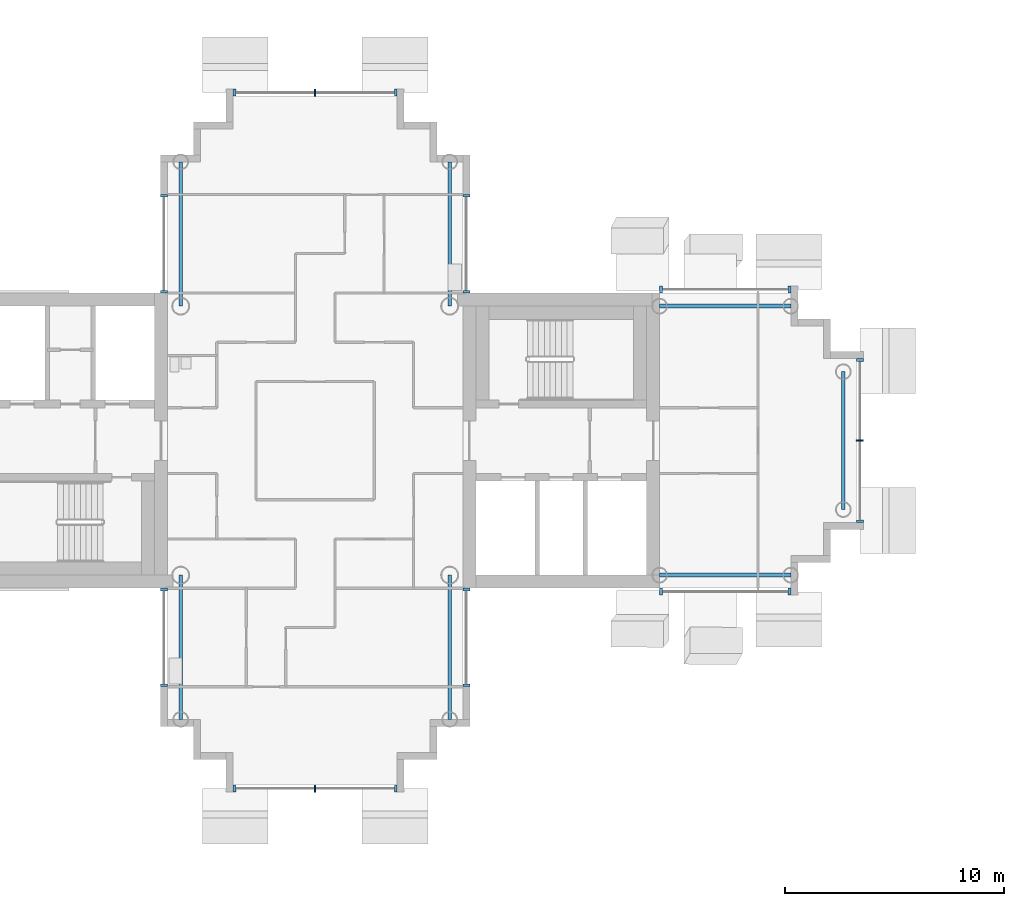
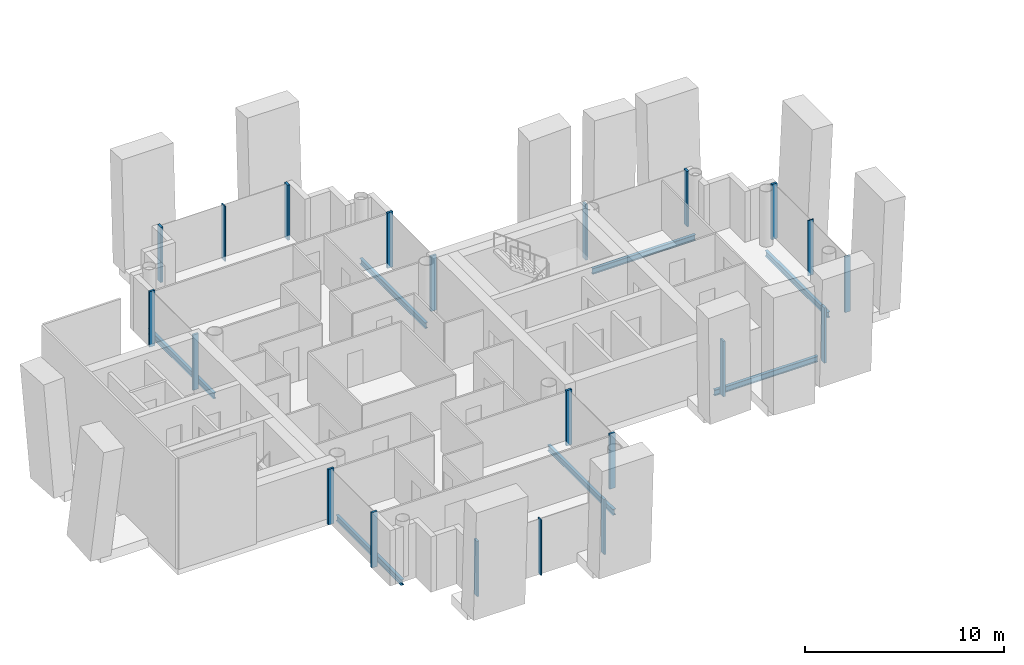
# One storey, part 3 of 18: 21 members, 7 beams, 9 elements without a shape of their own.
"""IFC4 building model written with IfcOpenShell, lengths in metres."""

from ifc_helpers import new_model, si_unit, direction, frame, origin, origin_2d, place, context, subcontext, project, spatial, rectangle, i_section, extrude, material, layer, layer_set, material_profile, profile_set, type_object, element, aggregate, save


model = new_model("IFC4")

# Units and contexts
model_context = context("Model", 3, precision=1e-05, world=origin(), true_north=direction((0.0, 1.0)))
body_context = subcontext(model_context, "Body", "Model", "MODEL_VIEW")
ifc_project = project(units=[si_unit("LENGTHUNIT", "METRE"), si_unit("AREAUNIT", "SQUARE_METRE"), si_unit("VOLUMEUNIT", "CUBIC_METRE"), si_unit("PLANEANGLEUNIT", "RADIAN"), si_unit("MASSUNIT", "GRAM", prefix="KILO")], contexts=[model_context])

# Site, building, storey
site_placement = place(None, origin())
site = spatial("IfcSite", under=ifc_project, at=site_placement, CompositionType="ELEMENT")
building_placement = place(site_placement, origin())
building = spatial("IfcBuilding", under=site, at=building_placement, Name="Ipe Terrace Towers", CompositionType="ELEMENT")
storey_placement = place(building_placement, frame((0.0, 0.0, 223.199951171875)))
storey = spatial("IfcBuildingStorey", under=building, at=storey_placement, Name="L62", CompositionType="ELEMENT", Elevation=223.199951171875)

# Beams
ifc_material_1 = material(Name="Steel S355", Category="steel")
ifc_material_profile_1 = material_profile(ifc_material_1, i_section(OverallWidth=0.175048828125, OverallDepth=0.35009765625, WebThickness=0.007080078125, FlangeThickness=0.010986328125, at=origin_2d()), Name="H-350x175x7x11")
ifc_profile_set_1 = profile_set([ifc_material_profile_1], Name="Steel S355")
beam_type = type_object("IfcBeamType", Name="H04 EDGE BEAM H-350x175x7x11", PredefinedType="BEAM", material=ifc_profile_set_1)
for number, where, z_axis, x_axis, name in (
    (1, (-20.25, -6.14990234375, -0.574951171875), (1.0, 0.0, 0.0), (0.0, 1.0, 0.0), "Edge beam T1-EB-A01-A03"),
    (2, (-20.25, 6.14990234375, -0.574951171875), (1.0, 0.0, 0.0), (0.0, 1.0, 0.0), "Edge beam T1-EB-A02-A04"),
):
    element("IfcBeam", number, at=place(storey_placement, frame(where, z_axis=z_axis, x_axis=x_axis)), inside=storey, type_object=beam_type, Name=name, PredefinedType="BEAM", context=body_context, shape_type="SweptSolid", body=[
        extrude(i_section(OverallWidth=0.175048828125, OverallDepth=0.35009765625, WebThickness=0.007080078125, FlangeThickness=0.010986328125, at=origin_2d()), origin(), (0.0, 0.0, 1.0), 6.0),
    ])
beam_placement = place(storey_placement, frame((-11.85009765625, -3.14990234375, -0.574951171875), z_axis=(0.0, 1.0, 0.0), x_axis=(-1.0, 0.0, 0.0)))
element("IfcBeam", 3, at=beam_placement, inside=storey, type_object=beam_type, Name="Edge beam T1-EB-A05-A06", PredefinedType="BEAM", context=body_context, shape_type="SweptSolid", body=[
    extrude(i_section(OverallWidth=0.175048828125, OverallDepth=0.35009765625, WebThickness=0.007080078125, FlangeThickness=0.010986328125, at=origin_2d()), origin(), (0.0, 0.0, 1.0), 6.2998046875),
])
for number, where, z_axis, x_axis, name in (
    (4, (-29.85009765625, 12.75, -0.574951171875), (0.0, -1.0, 0.0), (1.0, 0.0, 0.0), "Edge beam T1-EB-B01-E03"),
    (5, (-42.14990234375, 12.75, -0.574951171875), (0.0, -1.0, 0.0), (1.0, 0.0, 0.0), "Edge beam T1-EB-B02-E04"),
    (6, (-42.14990234375, -12.75, -0.574951171875), (0.0, 1.0, 0.0), (-1.0, 0.0, 0.0), "Edge beam T1-EB-D01-E01"),
    (7, (-29.85009765625, -12.75, -0.574951171875), (0.0, 1.0, 0.0), (-1.0, 0.0, 0.0), "Edge beam T1-EB-D02-E02"),
):
    element("IfcBeam", number, at=place(storey_placement, frame(where, z_axis=z_axis, x_axis=x_axis)), inside=storey, type_object=beam_type, Name=name, PredefinedType="BEAM", context=body_context, shape_type="SweptSolid", body=[
        extrude(i_section(OverallWidth=0.175048828125, OverallDepth=0.35009765625, WebThickness=0.007080078125, FlangeThickness=0.010986328125, at=origin_2d()), origin(), (0.0, 0.0, 1.0), 6.60009765625),
    ])

# Curtain wall, members
ifc_material_2 = material(Name="Aluminium alloy 6063-T6", Category="aluminium")
ifc_layer = layer(ifc_material_2, 0.320068359375)
ifc_layer_set = layer_set([ifc_layer], Name="TOWER UNITISED CURTAIN WALL")
curtain_wall_type = type_object("IfcCurtainWallType", Name="TOWER UNITISED CURTAIN WALL", PredefinedType="NOTDEFINED", material=ifc_layer_set)
curtain_wall_1_placement = place(storey_placement, origin())
curtain_wall_1 = element("IfcCurtainWall", 8, at=curtain_wall_1_placement, inside=storey, type_object=curtain_wall_type, Name="T1-CW-L62-02a curtain wall", PredefinedType="NOTDEFINED")
ifc_material_3 = material(Name="Aluminium alloy 6063-T6", Category="aluminium")
ifc_material_profile_2 = material_profile(ifc_material_3, rectangle(XDim=0.320068359375, YDim=0.1201171875, at=origin_2d()), Name="TOWER UNITISED CORNER MULLION 320 x 120")
ifc_profile_set_2 = profile_set([ifc_material_profile_2], Name="Aluminium alloy 6063-T6")
member_type_1 = type_object("IfcMemberType", Name="TOWER UNITISED CORNER MULLION 320 x 120", PredefinedType="MULLION", material=ifc_profile_set_2)
member_1_placement = place(storey_placement, frame((-42.909912109375, -6.81005859375, -0.300048828125), z_axis=(0.0, 0.0, 1.0), x_axis=(-1.0, 0.0, 0.0)))
member_1 = element("IfcMember", 9, at=member_1_placement, type_object=member_type_1, Name="T1-CW-L62-02a mullion 1", PredefinedType="MULLION", context=body_context, shape_type="SweptSolid", body=[
    extrude(rectangle(XDim=0.320068359375, YDim=0.1201171875, at=origin_2d()), origin(), (0.0, 0.0, 1.0), 3.400146484375),
])
member_2_placement = place(storey_placement, frame((-42.909912109375, -11.18994140625, -0.300048828125), z_axis=(0.0, 0.0, 1.0), x_axis=(-1.0, 0.0, 0.0)))
member_2 = element("IfcMember", 10, at=member_2_placement, type_object=member_type_1, Name="T1-CW-L62-02a mullion 2", PredefinedType="MULLION", context=body_context, shape_type="SweptSolid", body=[
    extrude(rectangle(XDim=0.320068359375, YDim=0.1201171875, at=origin_2d()), origin(), (0.0, 0.0, 1.0), 3.400146484375),
])
aggregate(curtain_wall_1, [member_1, member_2])

curtain_wall_2_placement = place(storey_placement, origin())
curtain_wall_2 = element("IfcCurtainWall", 11, at=curtain_wall_2_placement, inside=storey, type_object=curtain_wall_type, Name="T1-CW-L62-08a curtain wall", PredefinedType="NOTDEFINED")
member_3_placement = place(storey_placement, frame((-39.68994140625, -15.909912109375, -0.300048828125), z_axis=(0.0, 0.0, 1.0), x_axis=(0.0, -1.0, 0.0)))
member_3 = element("IfcMember", 12, at=member_3_placement, type_object=member_type_1, Name="T1-CW-L62-08a mullion 1", PredefinedType="MULLION", context=body_context, shape_type="SweptSolid", body=[
    extrude(rectangle(XDim=0.320068359375, YDim=0.1201171875, at=origin_2d()), origin(), (0.0, 0.0, 1.0), 3.400146484375),
])
member_4_placement = place(storey_placement, frame((-32.31005859375, -15.909912109375, -0.300048828125), z_axis=(0.0, 0.0, 1.0), x_axis=(0.0, -1.0, 0.0)))
member_4 = element("IfcMember", 13, at=member_4_placement, type_object=member_type_1, Name="T1-CW-L62-08a mullion 3", PredefinedType="MULLION", context=body_context, shape_type="SweptSolid", body=[
    extrude(rectangle(XDim=0.320068359375, YDim=0.1201171875, at=origin_2d()), origin(), (0.0, 0.0, 1.0), 3.400146484375),
])

curtain_wall_3_placement = place(storey_placement, origin())
curtain_wall_3 = element("IfcCurtainWall", 14, at=curtain_wall_3_placement, inside=storey, type_object=curtain_wall_type, Name="T1-CW-L62-14a curtain wall", PredefinedType="NOTDEFINED")
member_5_placement = place(storey_placement, frame((-29.090087890625, -11.18994140625, -0.300048828125), z_axis=(0.0, 0.0, 1.0), x_axis=(1.0, 0.0, 0.0)))
member_5 = element("IfcMember", 15, at=member_5_placement, type_object=member_type_1, Name="T1-CW-L62-14a mullion 1", PredefinedType="MULLION", context=body_context, shape_type="SweptSolid", body=[
    extrude(rectangle(XDim=0.320068359375, YDim=0.1201171875, at=origin_2d()), origin(), (0.0, 0.0, 1.0), 3.400146484375),
])
member_6_placement = place(storey_placement, frame((-29.090087890625, -6.81005859375, -0.300048828125), z_axis=(0.0, 0.0, 1.0), x_axis=(1.0, 0.0, 0.0)))
member_6 = element("IfcMember", 16, at=member_6_placement, type_object=member_type_1, Name="T1-CW-L62-14a mullion 2", PredefinedType="MULLION", context=body_context, shape_type="SweptSolid", body=[
    extrude(rectangle(XDim=0.320068359375, YDim=0.1201171875, at=origin_2d()), origin(), (0.0, 0.0, 1.0), 3.400146484375),
])
aggregate(curtain_wall_3, [member_5, member_6])

curtain_wall_4_placement = place(storey_placement, origin())
curtain_wall_4 = element("IfcCurtainWall", 17, at=curtain_wall_4_placement, inside=storey, type_object=curtain_wall_type, Name="T1-CW-L62-16b curtain wall", PredefinedType="NOTDEFINED")
member_7_placement = place(storey_placement, frame((-20.18896484375, -6.909912109375, -0.300048828125), z_axis=(0.0, 0.0, 1.0), x_axis=(0.0, -1.0, 0.0)))
member_7 = element("IfcMember", 18, at=member_7_placement, type_object=member_type_1, Name="T1-CW-L62-16b mullion 1", PredefinedType="MULLION", context=body_context, shape_type="SweptSolid", body=[
    extrude(rectangle(XDim=0.320068359375, YDim=0.1201171875, at=origin_2d()), origin(), (0.0, 0.0, 1.0), 3.400146484375),
])
member_8_placement = place(storey_placement, frame((-14.31005859375, -6.909912109375, -0.300048828125), z_axis=(0.0, 0.0, 1.0), x_axis=(0.0, -1.0, 0.0)))
member_8 = element("IfcMember", 19, at=member_8_placement, type_object=member_type_1, Name="T1-CW-L62-16b mullion 2", PredefinedType="MULLION", context=body_context, shape_type="SweptSolid", body=[
    extrude(rectangle(XDim=0.320068359375, YDim=0.1201171875, at=origin_2d()), origin(), (0.0, 0.0, 1.0), 3.400146484375),
])
aggregate(curtain_wall_4, [member_7, member_8])

curtain_wall_5_placement = place(storey_placement, origin())
curtain_wall_5 = element("IfcCurtainWall", 20, at=curtain_wall_5_placement, inside=storey, type_object=curtain_wall_type, Name="T1-CW-L62-21a curtain wall", PredefinedType="NOTDEFINED")
member_9_placement = place(storey_placement, frame((-11.090087890625, -3.68994140625, -0.300048828125), z_axis=(0.0, 0.0, 1.0), x_axis=(1.0, 0.0, 0.0)))
member_9 = element("IfcMember", 21, at=member_9_placement, type_object=member_type_1, Name="T1-CW-L62-21a mullion 1", PredefinedType="MULLION", context=body_context, shape_type="SweptSolid", body=[
    extrude(rectangle(XDim=0.320068359375, YDim=0.1201171875, at=origin_2d()), origin(), (0.0, 0.0, 1.0), 3.400146484375),
])
member_10_placement = place(storey_placement, frame((-11.090087890625, 3.68994140625, -0.300048828125), z_axis=(0.0, 0.0, 1.0), x_axis=(1.0, 0.0, 0.0)))
member_10 = element("IfcMember", 22, at=member_10_placement, type_object=member_type_1, Name="T1-CW-L62-21a mullion 3", PredefinedType="MULLION", context=body_context, shape_type="SweptSolid", body=[
    extrude(rectangle(XDim=0.320068359375, YDim=0.1201171875, at=origin_2d()), origin(), (0.0, 0.0, 1.0), 3.400146484375),
])

curtain_wall_6_placement = place(storey_placement, origin())
curtain_wall_6 = element("IfcCurtainWall", 23, at=curtain_wall_6_placement, inside=storey, type_object=curtain_wall_type, Name="T1-CW-L62-26a curtain wall", PredefinedType="NOTDEFINED")
member_11_placement = place(storey_placement, frame((-14.31005859375, 6.909912109375, -0.300048828125), z_axis=(0.0, 0.0, 1.0), x_axis=(0.0, 1.0, 0.0)))
member_11 = element("IfcMember", 24, at=member_11_placement, type_object=member_type_1, Name="T1-CW-L62-26a mullion 1", PredefinedType="MULLION", context=body_context, shape_type="SweptSolid", body=[
    extrude(rectangle(XDim=0.320068359375, YDim=0.1201171875, at=origin_2d()), origin(), (0.0, 0.0, 1.0), 3.400146484375),
])
member_12_placement = place(storey_placement, frame((-20.18896484375, 6.909912109375, -0.300048828125), z_axis=(0.0, 0.0, 1.0), x_axis=(0.0, 1.0, 0.0)))
member_12 = element("IfcMember", 25, at=member_12_placement, type_object=member_type_1, Name="T1-CW-L62-26a mullion 2", PredefinedType="MULLION", context=body_context, shape_type="SweptSolid", body=[
    extrude(rectangle(XDim=0.320068359375, YDim=0.1201171875, at=origin_2d()), origin(), (0.0, 0.0, 1.0), 3.400146484375),
])
aggregate(curtain_wall_6, [member_11, member_12])

curtain_wall_7_placement = place(storey_placement, origin())
curtain_wall_7 = element("IfcCurtainWall", 26, at=curtain_wall_7_placement, inside=storey, type_object=curtain_wall_type, Name="T1-CW-L62-28a curtain wall", PredefinedType="NOTDEFINED")
member_13_placement = place(storey_placement, frame((-29.090087890625, 6.81005859375, -0.300048828125), z_axis=(0.0, 0.0, 1.0), x_axis=(1.0, 0.0, 0.0)))
member_13 = element("IfcMember", 27, at=member_13_placement, type_object=member_type_1, Name="T1-CW-L62-28a mullion 1", PredefinedType="MULLION", context=body_context, shape_type="SweptSolid", body=[
    extrude(rectangle(XDim=0.320068359375, YDim=0.1201171875, at=origin_2d()), origin(), (0.0, 0.0, 1.0), 3.400146484375),
])
member_14_placement = place(storey_placement, frame((-29.090087890625, 11.18994140625, -0.300048828125), z_axis=(0.0, 0.0, 1.0), x_axis=(1.0, 0.0, 0.0)))
member_14 = element("IfcMember", 28, at=member_14_placement, type_object=member_type_1, Name="T1-CW-L62-28a mullion 2", PredefinedType="MULLION", context=body_context, shape_type="SweptSolid", body=[
    extrude(rectangle(XDim=0.320068359375, YDim=0.1201171875, at=origin_2d()), origin(), (0.0, 0.0, 1.0), 3.400146484375),
])
aggregate(curtain_wall_7, [member_13, member_14])

curtain_wall_8_placement = place(storey_placement, origin())
curtain_wall_8 = element("IfcCurtainWall", 29, at=curtain_wall_8_placement, inside=storey, type_object=curtain_wall_type, Name="T1-CW-L62-34a curtain wall", PredefinedType="NOTDEFINED")
member_15_placement = place(storey_placement, frame((-32.31005859375, 15.909912109375, -0.300048828125), z_axis=(0.0, 0.0, 1.0), x_axis=(0.0, 1.0, 0.0)))
member_15 = element("IfcMember", 30, at=member_15_placement, type_object=member_type_1, Name="T1-CW-L62-34a mullion 1", PredefinedType="MULLION", context=body_context, shape_type="SweptSolid", body=[
    extrude(rectangle(XDim=0.320068359375, YDim=0.1201171875, at=origin_2d()), origin(), (0.0, 0.0, 1.0), 3.400146484375),
])
member_16_placement = place(storey_placement, frame((-39.68994140625, 15.909912109375, -0.300048828125), z_axis=(0.0, 0.0, 1.0), x_axis=(0.0, 1.0, 0.0)))
member_16 = element("IfcMember", 31, at=member_16_placement, type_object=member_type_1, Name="T1-CW-L62-34a mullion 3", PredefinedType="MULLION", context=body_context, shape_type="SweptSolid", body=[
    extrude(rectangle(XDim=0.320068359375, YDim=0.1201171875, at=origin_2d()), origin(), (0.0, 0.0, 1.0), 3.400146484375),
])

curtain_wall_9_placement = place(storey_placement, origin())
curtain_wall_9 = element("IfcCurtainWall", 32, at=curtain_wall_9_placement, inside=storey, type_object=curtain_wall_type, Name="T1-CW-L62-40a curtain wall", PredefinedType="NOTDEFINED")
member_17_placement = place(storey_placement, frame((-42.909912109375, 11.18994140625, -0.300048828125), z_axis=(0.0, 0.0, 1.0), x_axis=(-1.0, 0.0, 0.0)))
member_17 = element("IfcMember", 33, at=member_17_placement, type_object=member_type_1, Name="T1-CW-L62-40a mullion 1", PredefinedType="MULLION", context=body_context, shape_type="SweptSolid", body=[
    extrude(rectangle(XDim=0.320068359375, YDim=0.1201171875, at=origin_2d()), origin(), (0.0, 0.0, 1.0), 3.400146484375),
])
member_18_placement = place(storey_placement, frame((-42.909912109375, 6.81005859375, -0.300048828125), z_axis=(0.0, 0.0, 1.0), x_axis=(-1.0, 0.0, 0.0)))
member_18 = element("IfcMember", 34, at=member_18_placement, type_object=member_type_1, Name="T1-CW-L62-40a mullion 2", PredefinedType="MULLION", context=body_context, shape_type="SweptSolid", body=[
    extrude(rectangle(XDim=0.320068359375, YDim=0.1201171875, at=origin_2d()), origin(), (0.0, 0.0, 1.0), 3.400146484375),
])
aggregate(curtain_wall_9, [member_17, member_18])

# Member
ifc_material_4 = material(Name="Aluminium alloy 6063-T6", Category="aluminium")
ifc_material_profile_3 = material_profile(ifc_material_4, rectangle(XDim=0.320068359375, YDim=0.06494140625, at=origin_2d()), Name="TOWER UNITISED MULLION 320 x 65")
ifc_profile_set_3 = profile_set([ifc_material_profile_3], Name="Aluminium alloy 6063-T6")
member_type_2 = type_object("IfcMemberType", Name="TOWER UNITISED MULLION 320 x 65", PredefinedType="MULLION", material=ifc_profile_set_3)
member_19_placement = place(storey_placement, frame((-36.0, -15.909912109375, -0.300048828125), z_axis=(0.0, 0.0, 1.0), x_axis=(0.0, -1.0, 0.0)))
member_19 = element("IfcMember", 35, at=member_19_placement, type_object=member_type_2, Name="T1-CW-L62-08a mullion 2", PredefinedType="MULLION", context=body_context, shape_type="SweptSolid", body=[
    extrude(rectangle(XDim=0.320068359375, YDim=0.06494140625, at=origin_2d()), origin(), (0.0, 0.0, 1.0), 3.400146484375),
])

aggregate(curtain_wall_2, [member_3, member_19, member_4])

member_20_placement = place(storey_placement, frame((-11.090087890625, 0.0, -0.300048828125), z_axis=(0.0, 0.0, 1.0), x_axis=(1.0, 0.0, 0.0)))
member_20 = element("IfcMember", 36, at=member_20_placement, type_object=member_type_2, Name="T1-CW-L62-21a mullion 2", PredefinedType="MULLION", context=body_context, shape_type="SweptSolid", body=[
    extrude(rectangle(XDim=0.320068359375, YDim=0.06494140625, at=origin_2d()), origin(), (0.0, 0.0, 1.0), 3.400146484375),
])

aggregate(curtain_wall_5, [member_9, member_20, member_10])

member_21_placement = place(storey_placement, frame((-36.0, 15.909912109375, -0.300048828125), z_axis=(0.0, 0.0, 1.0), x_axis=(0.0, 1.0, 0.0)))
member_21 = element("IfcMember", 37, at=member_21_placement, type_object=member_type_2, Name="T1-CW-L62-34a mullion 2", PredefinedType="MULLION", context=body_context, shape_type="SweptSolid", body=[
    extrude(rectangle(XDim=0.320068359375, YDim=0.06494140625, at=origin_2d()), origin(), (0.0, 0.0, 1.0), 3.400146484375),
])

aggregate(curtain_wall_8, [member_15, member_21, member_16])

save(model, "model.ifc")
